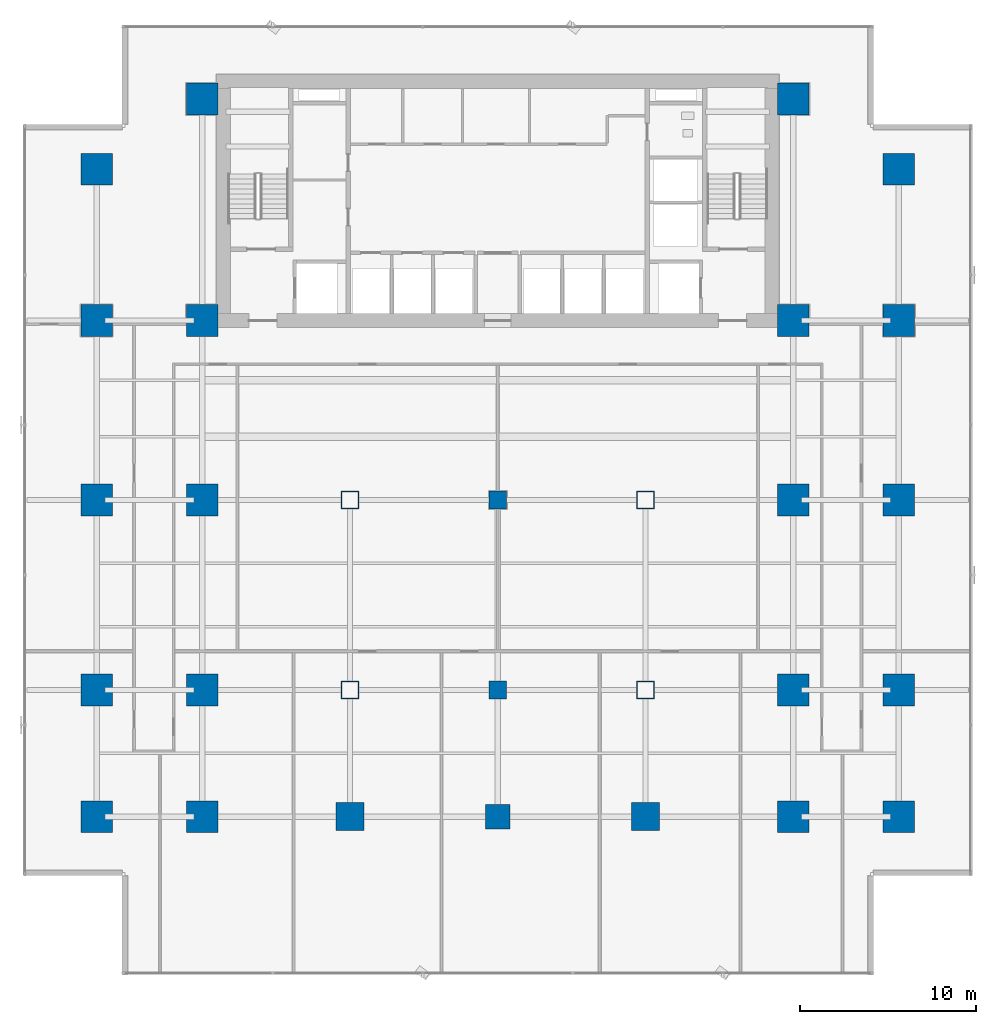
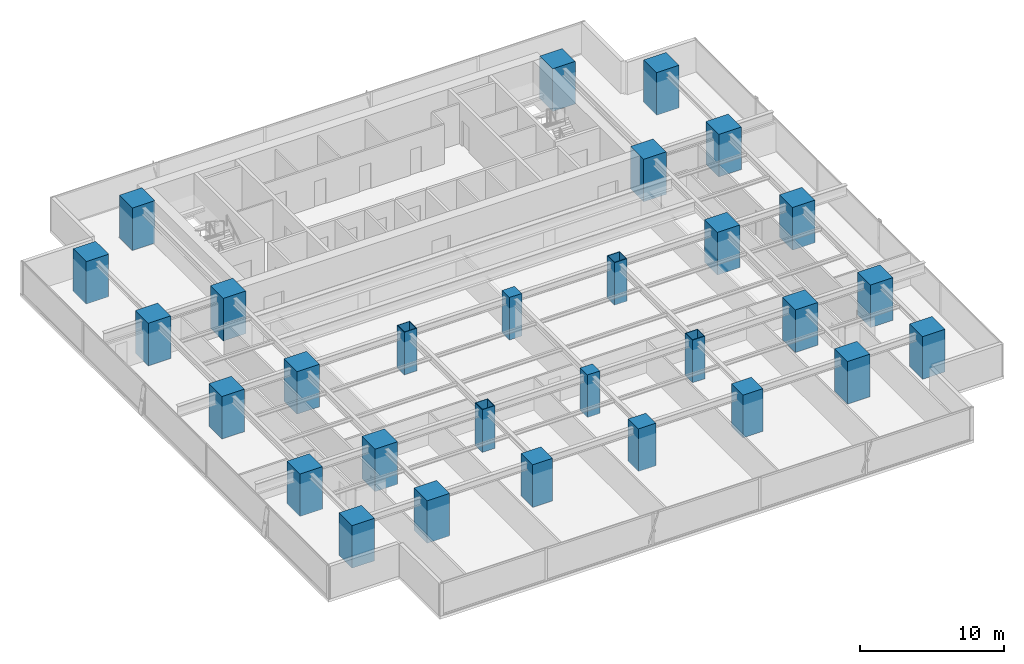
# One storey, part 1 of 34: 29 columns.
"""IFC4 building model written with IfcOpenShell, lengths in metres."""

from ifc_helpers import new_model, si_unit, direction, frame, origin, origin_2d, place, context, subcontext, project, spatial, rectangle, hollow_rectangle, extrude, source, transform, mapped, material, material_profile, profile_set, type_object, element, save


model = new_model("IFC4")

# Units and contexts
model_context = context("Model", 3, precision=1e-05, world=origin(), true_north=direction((0.0, 1.0)))
body_context = subcontext(model_context, "Body", "Model", "MODEL_VIEW")
ifc_project = project(units=[si_unit("LENGTHUNIT", "METRE"), si_unit("AREAUNIT", "SQUARE_METRE"), si_unit("VOLUMEUNIT", "CUBIC_METRE"), si_unit("PLANEANGLEUNIT", "RADIAN"), si_unit("MASSUNIT", "GRAM", prefix="KILO")], contexts=[model_context])

# Site, building, storey
site_placement = place(None, origin())
site = spatial("IfcSite", under=ifc_project, at=site_placement, CompositionType="ELEMENT")
building_placement = place(site_placement, origin())
building = spatial("IfcBuilding", under=site, at=building_placement, Name="Sumidabori Civic Tower", CompositionType="ELEMENT")
storey_placement = place(building_placement, frame((0.0, 0.0, 34.39990234375)))
storey = spatial("IfcBuildingStorey", under=building, at=storey_placement, Name="L08", CompositionType="ELEMENT", Elevation=34.39990234375)

# Columns
ifc_material_1 = material(Name="Concrete C60/75", Category="concrete")
ifc_material_profile_1 = material_profile(ifc_material_1, rectangle(XDim=1.800048828125, YDim=1.800048828125, at=origin_2d()), Name="RC 1800x1800")
ifc_profile_set_1 = profile_set([ifc_material_profile_1], Name="Concrete C60/75")
column_type_1 = type_object("IfcColumnType", Name="CL-MEGA-1800", PredefinedType="COLUMN", material=ifc_profile_set_1)
shared_shape_1 = source(origin(), body_context, "Body", "SweptSolid", [
    extrude(rectangle(XDim=1.800048828125, YDim=1.800048828125, at=origin_2d()), origin(), (0.0, 0.0, 1.0), 3.60009765625),
])
for number, where, z_axis, x_axis, name in (
    (1, (-16.800048828125, -18.0, 0.0), (0.0, 0.0, 1.0), (1.0, 0.0, 0.0), "Column MC-W16-Y18S L08"),
    (2, (-16.800048828125, -10.800048828125, 0.0), (0.0, 0.0, 1.0), (1.0, 0.0, 0.0), "Column MC-W16-Y11S L08"),
    (3, (-16.800048828125, 0.0, 0.0), (0.0, 0.0, 1.0), (1.0, 0.0, 0.0), "Column MC-W16-Y00 L08"),
    (4, (-16.800048828125, 10.199951171875, 0.0), (0.0, 0.0, 1.0), (1.0, 0.0, 0.0), "Column MC-W16-Y10N L08"),
    (5, (-16.800048828125, 22.800048828125, 0.0), (0.0, 0.0, 1.0), (1.0, 0.0, 0.0), "Column MC-W16-Y23N L08"),
    (6, (16.800048828125, -18.0, 0.0), (0.0, 0.0, 1.0), (1.0, 0.0, 0.0), "Column MC-E16-Y18S L08"),
    (7, (16.800048828125, -10.800048828125, 0.0), (0.0, 0.0, 1.0), (1.0, 0.0, 0.0), "Column MC-E16-Y11S L08"),
    (8, (16.800048828125, 0.0, 0.0), (0.0, 0.0, 1.0), (1.0, 0.0, 0.0), "Column MC-E16-Y00 L08"),
    (9, (16.800048828125, 10.199951171875, 0.0), (0.0, 0.0, 1.0), (1.0, 0.0, 0.0), "Column MC-E16-Y10N L08"),
    (10, (16.800048828125, 22.800048828125, 0.0), (0.0, 0.0, 1.0), (1.0, 0.0, 0.0), "Column MC-E16-Y23N L08"),
    (11, (-22.800048828125, -18.0, 0.0), (0.0, 0.0, 1.0), (1.0, 0.0, 0.0), "Column MC-W23-Y18S L08"),
    (12, (-22.800048828125, -10.800048828125, 0.0), (0.0, 0.0, 1.0), (1.0, 0.0, 0.0), "Column MC-W23-Y11S L08"),
    (13, (-22.800048828125, 0.0, 0.0), (0.0, 0.0, 1.0), (1.0, 0.0, 0.0), "Column MC-W23-Y00 L08"),
    (14, (-22.800048828125, 10.199951171875, 0.0), (0.0, 0.0, 1.0), (1.0, 0.0, 0.0), "Column MC-W23-Y10N L08"),
    (15, (-22.800048828125, 18.800048828125, 0.0), (0.0, 0.0, 1.0), (1.0, 0.0, 0.0), "Column MC-W23-Y19N L08"),
    (16, (22.800048828125, -18.0, 0.0), (0.0, 0.0, 1.0), (1.0, 0.0, 0.0), "Column MC-E23-Y18S L08"),
    (17, (22.800048828125, -10.800048828125, 0.0), (0.0, 0.0, 1.0), (1.0, 0.0, 0.0), "Column MC-E23-Y11S L08"),
    (18, (22.800048828125, 0.0, 0.0), (0.0, 0.0, 1.0), (1.0, 0.0, 0.0), "Column MC-E23-Y00 L08"),
    (19, (22.800048828125, 10.199951171875, 0.0), (0.0, 0.0, 1.0), (1.0, 0.0, 0.0), "Column MC-E23-Y10N L08"),
    (20, (22.800048828125, 18.800048828125, 0.0), (0.0, 0.0, 1.0), (1.0, 0.0, 0.0), "Column MC-E23-Y19N L08"),
):
    element("IfcColumn", number, at=place(storey_placement, frame(where, z_axis=z_axis, x_axis=x_axis)), inside=storey, type_object=column_type_1, Name=name, PredefinedType="COLUMN", context=body_context, shape_type="MappedRepresentation", body=[
        mapped(shared_shape_1, transform((0.0, 0.0, 0.0), x_axis=(1.0, 0.0, 0.0), y_axis=(0.0, 1.0, 0.0), z_axis=(0.0, 0.0, 1.0), scale=1.0)),
    ])
ifc_material_profile_2 = material_profile(ifc_material_1, rectangle(XDim=1.60009765625, YDim=1.60009765625, at=origin_2d()), Name="RC 1600x1600")
ifc_profile_set_2 = profile_set([ifc_material_profile_2], Name="Concrete C60/75")
column_type_2 = type_object("IfcColumnType", Name="CL-MEGA-1600", PredefinedType="COLUMN", material=ifc_profile_set_2)
shared_shape_2 = source(origin(), body_context, "Body", "SweptSolid", [
    extrude(rectangle(XDim=1.60009765625, YDim=1.60009765625, at=origin_2d()), origin(), (0.0, 0.0, 1.0), 3.60009765625),
])
for number, where, z_axis, x_axis, name in (
    (21, (-8.39990234375, -18.0, 0.0), (0.0, 0.0, 1.0), (1.0, 0.0, 0.0), "Column MC-W08-Y18S L08"),
    (22, (8.39990234375, -18.0, 0.0), (0.0, 0.0, 1.0), (1.0, 0.0, 0.0), "Column MC-E08-Y18S L08"),
):
    element("IfcColumn", number, at=place(storey_placement, frame(where, z_axis=z_axis, x_axis=x_axis)), inside=storey, type_object=column_type_2, Name=name, PredefinedType="COLUMN", context=body_context, shape_type="MappedRepresentation", body=[
        mapped(shared_shape_2, transform((0.0, 0.0, 0.0), x_axis=(1.0, 0.0, 0.0), y_axis=(0.0, 1.0, 0.0), z_axis=(0.0, 0.0, 1.0), scale=1.0)),
    ])
ifc_material_2 = material(Name="Steel SM570", Category="steel")
ifc_material_profile_3 = material_profile(ifc_material_2, hollow_rectangle(XDim=1.0, YDim=1.0, WallThickness=0.044921875, at=origin_2d()), Name="SHS 1000x1000x45")
ifc_profile_set_3 = profile_set([ifc_material_profile_3], Name="Steel SM570")
column_type_3 = type_object("IfcColumnType", Name="CL-PORTAL-SHS1000", PredefinedType="COLUMN", material=ifc_profile_set_3)
shared_shape_3 = source(origin(), body_context, "Body", "SweptSolid", [
    extrude(hollow_rectangle(XDim=1.0, YDim=1.0, WallThickness=0.044921875, at=origin_2d()), origin(), (0.0, 0.0, 1.0), 3.60009765625),
])
for number, where, z_axis, x_axis, name in (
    (23, (-8.39990234375, 0.0, 0.0), (0.0, 0.0, 1.0), (1.0, 0.0, 0.0), "Column MC-W08-Y00 L08"),
    (24, (-8.39990234375, -10.800048828125, 0.0), (0.0, 0.0, 1.0), (1.0, 0.0, 0.0), "Column MC-W08-Y11S L08"),
    (25, (8.39990234375, 0.0, 0.0), (0.0, 0.0, 1.0), (1.0, 0.0, 0.0), "Column MC-E08-Y00 L08"),
    (26, (8.39990234375, -10.800048828125, 0.0), (0.0, 0.0, 1.0), (1.0, 0.0, 0.0), "Column MC-E08-Y11S L08"),
):
    element("IfcColumn", number, at=place(storey_placement, frame(where, z_axis=z_axis, x_axis=x_axis)), inside=storey, type_object=column_type_3, Name=name, PredefinedType="COLUMN", context=body_context, shape_type="MappedRepresentation", body=[
        mapped(shared_shape_3, transform((0.0, 0.0, 0.0), x_axis=(1.0, 0.0, 0.0), y_axis=(0.0, 1.0, 0.0), z_axis=(0.0, 0.0, 1.0), scale=1.0)),
    ])
ifc_material_profile_4 = material_profile(ifc_material_1, rectangle(XDim=1.39990234375, YDim=1.39990234375, at=origin_2d()), Name="RC 1400x1400")
ifc_profile_set_4 = profile_set([ifc_material_profile_4], Name="Concrete C60/75")
column_type_4 = type_object("IfcColumnType", Name="CL-MEGA-1400", PredefinedType="COLUMN", material=ifc_profile_set_4)
shared_shape_4 = source(origin(), body_context, "Body", "SweptSolid", [
    extrude(rectangle(XDim=1.39990234375, YDim=1.39990234375, at=origin_2d()), origin(), (0.0, 0.0, 1.0), 3.60009765625),
])
column_placement = place(storey_placement, frame((0.0, -18.0, 0.0), z_axis=(0.0, 0.0, 1.0), x_axis=(1.0, 0.0, 0.0)))
element("IfcColumn", 27, at=column_placement, inside=storey, type_object=column_type_4, Name="Column MC-C00-Y18S L08", PredefinedType="COLUMN", context=body_context, shape_type="MappedRepresentation", body=[
    mapped(shared_shape_4, transform((0.0, 0.0, 0.0), x_axis=(1.0, 0.0, 0.0), y_axis=(0.0, 1.0, 0.0), z_axis=(0.0, 0.0, 1.0), scale=1.0)),
])
ifc_material_3 = material(Name="Concrete C50/60", Category="concrete")
ifc_material_profile_5 = material_profile(ifc_material_3, rectangle(XDim=1.0, YDim=1.0, at=origin_2d()), Name="RC 1000x1000")
ifc_profile_set_5 = profile_set([ifc_material_profile_5], Name="Concrete C50/60")
column_type_5 = type_object("IfcColumnType", Name="CL-INT-1000", PredefinedType="COLUMN", material=ifc_profile_set_5)
shared_shape_5 = source(origin(), body_context, "Body", "SweptSolid", [
    extrude(rectangle(XDim=1.0, YDim=1.0, at=origin_2d()), origin(), (0.0, 0.0, 1.0), 3.60009765625),
])
for number, where, z_axis, x_axis, name in (
    (28, (0.0, -10.800048828125, 0.0), (0.0, 0.0, 1.0), (1.0, 0.0, 0.0), "Column MC-C00-Y11S L08"),
    (29, (0.0, 0.0, 0.0), (0.0, 0.0, 1.0), (1.0, 0.0, 0.0), "Column MC-C00-Y00 L08"),
):
    element("IfcColumn", number, at=place(storey_placement, frame(where, z_axis=z_axis, x_axis=x_axis)), inside=storey, type_object=column_type_5, Name=name, PredefinedType="COLUMN", context=body_context, shape_type="MappedRepresentation", body=[
        mapped(shared_shape_5, transform((0.0, 0.0, 0.0), x_axis=(1.0, 0.0, 0.0), y_axis=(0.0, 1.0, 0.0), z_axis=(0.0, 0.0, 1.0), scale=1.0)),
    ])

save(model, "model.ifc")
